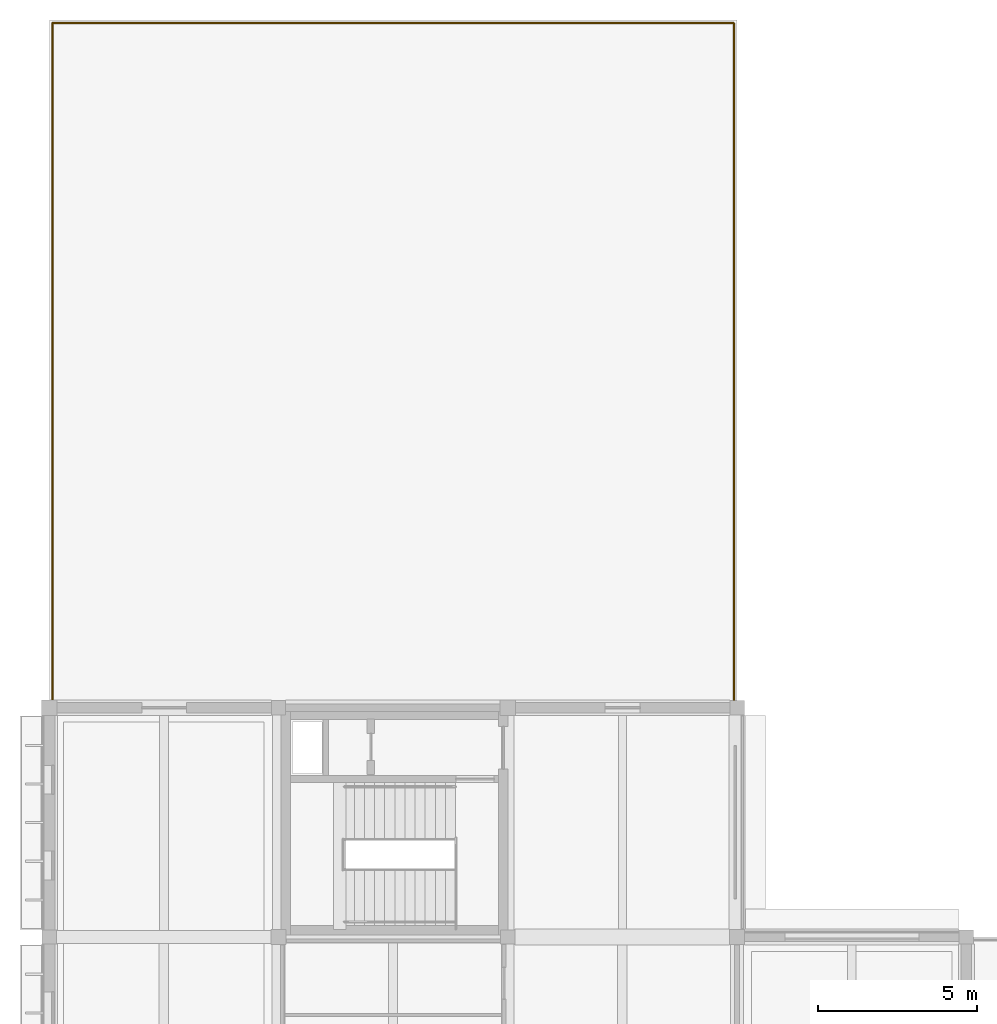
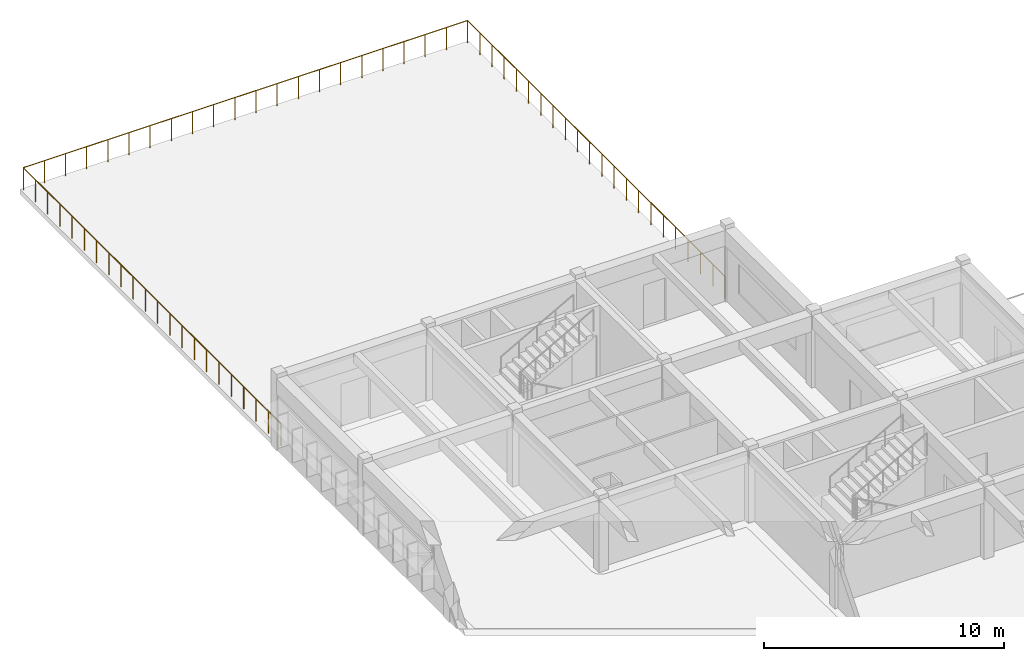
# One storey, part 7 of 7: 9 railings.
"""IFC4 building model written with IfcOpenShell, lengths in metres."""

from ifc_helpers import new_model, si_unit, direction, frame, origin, origin_2d, place, context, subcontext, project, spatial, circle, extrude, material, type_object, element, save


model = new_model("IFC4")

# Units and contexts
model_context = context("Model", 3, precision=1e-05, world=origin(), true_north=direction((0.0, 1.0)))
body_context = subcontext(model_context, "Body", "Model", "MODEL_VIEW")
ifc_project = project(units=[si_unit("LENGTHUNIT", "METRE"), si_unit("AREAUNIT", "SQUARE_METRE"), si_unit("VOLUMEUNIT", "CUBIC_METRE"), si_unit("PLANEANGLEUNIT", "RADIAN"), si_unit("MASSUNIT", "GRAM", prefix="KILO")], contexts=[model_context])

# Site, building, storey
site_placement = place(None, origin())
site = spatial("IfcSite", under=ifc_project, at=site_placement, CompositionType="ELEMENT")
building_placement = place(site_placement, origin())
building = spatial("IfcBuilding", under=site, at=building_placement, Name="Thalmaran Polytechnic", CompositionType="ELEMENT")
storey_placement = place(building_placement, frame((0.0, 0.0, 30.60009765625)))
storey = spatial("IfcBuildingStorey", under=building, at=storey_placement, Name="L07", CompositionType="ELEMENT", Elevation=30.60009765625)

# Railings
ifc_material = material(Name="Stainless steel 316 and laminated glass", Category="steel")
railing_type = type_object("IfcRailingType", Name="RL-BL01", PredefinedType="BALUSTRADE", material=ifc_material)
for number, where, name in (
    (1, (0.10009765625, 50.300048828125, 0.0), "Terrace Balustrade Guard L07-2-1"),
    (2, (7.2333984375, 50.300048828125, 0.0), "Terrace Balustrade Guard L07-2-2"),
    (3, (14.36669921875, 50.300048828125, 0.0), "Terrace Balustrade Guard L07-2-3"),
):
    element("IfcRailing", number, at=place(storey_placement, frame(where)), inside=storey, type_object=railing_type, Name=name, PredefinedType="BALUSTRADE", context=body_context, shape_type="SweptSolid", body=[
        extrude(circle(Radius=0.02392578125, at=origin_2d()), frame((0.0, 0.0, 1.1259765625), z_axis=(1.0, 0.0, 0.0), x_axis=(0.0, 1.0, 0.0)), (0.0, 0.0, 1.0), 7.13330078125),
        extrude(circle(Radius=0.02099609375, at=origin_2d()), origin(), (0.0, 0.0, 1.0), 1.101806640625),
        extrude(circle(Radius=0.02099609375, at=origin_2d()), frame((1.01904296875, 0.0, 0.0)), (0.0, 0.0, 1.0), 1.101806640625),
        extrude(circle(Radius=0.02099609375, at=origin_2d()), frame((2.0380859375, 0.0, 0.0)), (0.0, 0.0, 1.0), 1.101806640625),
        extrude(circle(Radius=0.02099609375, at=origin_2d()), frame((3.05712890625, 0.0, 0.0)), (0.0, 0.0, 1.0), 1.101806640625),
        extrude(circle(Radius=0.02099609375, at=origin_2d()), frame((4.076171875, 0.0, 0.0)), (0.0, 0.0, 1.0), 1.101806640625),
        extrude(circle(Radius=0.02099609375, at=origin_2d()), frame((5.09521484375, 0.0, 0.0)), (0.0, 0.0, 1.0), 1.101806640625),
        extrude(circle(Radius=0.02099609375, at=origin_2d()), frame((6.1142578125, 0.0, 0.0)), (0.0, 0.0, 1.0), 1.101806640625),
        extrude(circle(Radius=0.02099609375, at=origin_2d()), frame((7.13330078125, 0.0, 0.0)), (0.0, 0.0, 1.0), 1.101806640625),
    ])
for number, where, name in (
    (4, (21.5, 50.300048828125, 0.0), "Terrace Balustrade Guard L07-2-4"),
    (5, (21.5, 43.166748046875, 0.0), "Terrace Balustrade Guard L07-2-5"),
):
    element("IfcRailing", number, at=place(storey_placement, frame(where)), inside=storey, type_object=railing_type, Name=name, PredefinedType="BALUSTRADE", context=body_context, shape_type="SweptSolid", body=[
        extrude(circle(Radius=0.02392578125, at=origin_2d()), frame((0.0, 0.0, 1.1259765625), z_axis=(0.0, -1.0, 0.0), x_axis=(1.0, 0.0, 0.0)), (0.0, 0.0, 1.0), 7.13330078125),
        extrude(circle(Radius=0.02099609375, at=origin_2d()), origin(), (0.0, 0.0, 1.0), 1.101806640625),
        extrude(circle(Radius=0.02099609375, at=origin_2d()), frame((0.0, -1.01904296875, 0.0)), (0.0, 0.0, 1.0), 1.101806640625),
        extrude(circle(Radius=0.02099609375, at=origin_2d()), frame((0.0, -2.0380859375, 0.0)), (0.0, 0.0, 1.0), 1.101806640625),
        extrude(circle(Radius=0.02099609375, at=origin_2d()), frame((0.0, -3.05712890625, 0.0)), (0.0, 0.0, 1.0), 1.101806640625),
        extrude(circle(Radius=0.02099609375, at=origin_2d()), frame((0.0, -4.076171875, 0.0)), (0.0, 0.0, 1.0), 1.101806640625),
        extrude(circle(Radius=0.02099609375, at=origin_2d()), frame((0.0, -5.09521484375, 0.0)), (0.0, 0.0, 1.0), 1.101806640625),
        extrude(circle(Radius=0.02099609375, at=origin_2d()), frame((0.0, -6.1142578125, 0.0)), (0.0, 0.0, 1.0), 1.101806640625),
        extrude(circle(Radius=0.02099609375, at=origin_2d()), frame((0.0, -7.13330078125, 0.0)), (0.0, 0.0, 1.0), 1.101806640625),
    ])
railing_1_placement = place(storey_placement, frame((21.5, 36.033447265625, 0.0)))
element("IfcRailing", 6, at=railing_1_placement, inside=storey, type_object=railing_type, Name="Terrace Balustrade Guard L07-2-6", PredefinedType="BALUSTRADE", context=body_context, shape_type="SweptSolid", body=[
    extrude(circle(Radius=0.02392578125, at=origin_2d()), frame((0.0, 0.0, 1.1259765625), z_axis=(0.0, -1.0, 0.0), x_axis=(1.0, 0.0, 0.0)), (0.0, 0.0, 1.0), 7.223388671875),
    extrude(circle(Radius=0.02099609375, at=origin_2d()), origin(), (0.0, 0.0, 1.0), 1.101806640625),
    extrude(circle(Radius=0.02099609375, at=origin_2d()), frame((0.0, -1.031982421875, 0.0)), (0.0, 0.0, 1.0), 1.101806640625),
    extrude(circle(Radius=0.02099609375, at=origin_2d()), frame((0.0, -2.063720703125, 0.0)), (0.0, 0.0, 1.0), 1.101806640625),
    extrude(circle(Radius=0.02099609375, at=origin_2d()), frame((0.0, -3.095703125, 0.0)), (0.0, 0.0, 1.0), 1.101806640625),
    extrude(circle(Radius=0.02099609375, at=origin_2d()), frame((0.0, -4.127685546875, 0.0)), (0.0, 0.0, 1.0), 1.101806640625),
    extrude(circle(Radius=0.02099609375, at=origin_2d()), frame((0.0, -5.15966796875, 0.0)), (0.0, 0.0, 1.0), 1.101806640625),
    extrude(circle(Radius=0.02099609375, at=origin_2d()), frame((0.0, -6.19140625, 0.0)), (0.0, 0.0, 1.0), 1.101806640625),
    extrude(circle(Radius=0.02099609375, at=origin_2d()), frame((0.0, -7.223388671875, 0.0)), (0.0, 0.0, 1.0), 1.101806640625),
])
railing_2_placement = place(storey_placement, frame((0.10009765625, 28.81005859375, 0.0)))
element("IfcRailing", 7, at=railing_2_placement, inside=storey, type_object=railing_type, Name="Terrace Balustrade Guard L07-2-10", PredefinedType="BALUSTRADE", context=body_context, shape_type="SweptSolid", body=[
    extrude(circle(Radius=0.02392578125, at=origin_2d()), frame((0.0, 0.0, 1.1259765625), z_axis=(0.0, 1.0, 0.0), x_axis=(-1.0, 0.0, 0.0)), (0.0, 0.0, 1.0), 7.223388671875),
    extrude(circle(Radius=0.02099609375, at=origin_2d()), origin(), (0.0, 0.0, 1.0), 1.101806640625),
    extrude(circle(Radius=0.02099609375, at=origin_2d()), frame((0.0, 1.031982421875, 0.0)), (0.0, 0.0, 1.0), 1.101806640625),
    extrude(circle(Radius=0.02099609375, at=origin_2d()), frame((0.0, 2.063720703125, 0.0)), (0.0, 0.0, 1.0), 1.101806640625),
    extrude(circle(Radius=0.02099609375, at=origin_2d()), frame((0.0, 3.095703125, 0.0)), (0.0, 0.0, 1.0), 1.101806640625),
    extrude(circle(Radius=0.02099609375, at=origin_2d()), frame((0.0, 4.127685546875, 0.0)), (0.0, 0.0, 1.0), 1.101806640625),
    extrude(circle(Radius=0.02099609375, at=origin_2d()), frame((0.0, 5.15966796875, 0.0)), (0.0, 0.0, 1.0), 1.101806640625),
    extrude(circle(Radius=0.02099609375, at=origin_2d()), frame((0.0, 6.19140625, 0.0)), (0.0, 0.0, 1.0), 1.101806640625),
    extrude(circle(Radius=0.02099609375, at=origin_2d()), frame((0.0, 7.223388671875, 0.0)), (0.0, 0.0, 1.0), 1.101806640625),
])
for number, where, name in (
    (8, (0.10009765625, 36.033447265625, 0.0), "Terrace Balustrade Guard L07-2-11"),
    (9, (0.10009765625, 43.166748046875, 0.0), "Terrace Balustrade Guard L07-2-12"),
):
    element("IfcRailing", number, at=place(storey_placement, frame(where)), inside=storey, type_object=railing_type, Name=name, PredefinedType="BALUSTRADE", context=body_context, shape_type="SweptSolid", body=[
        extrude(circle(Radius=0.02392578125, at=origin_2d()), frame((0.0, 0.0, 1.1259765625), z_axis=(0.0, 1.0, 0.0), x_axis=(-1.0, 0.0, 0.0)), (0.0, 0.0, 1.0), 7.13330078125),
        extrude(circle(Radius=0.02099609375, at=origin_2d()), origin(), (0.0, 0.0, 1.0), 1.101806640625),
        extrude(circle(Radius=0.02099609375, at=origin_2d()), frame((0.0, 1.01904296875, 0.0)), (0.0, 0.0, 1.0), 1.101806640625),
        extrude(circle(Radius=0.02099609375, at=origin_2d()), frame((0.0, 2.0380859375, 0.0)), (0.0, 0.0, 1.0), 1.101806640625),
        extrude(circle(Radius=0.02099609375, at=origin_2d()), frame((0.0, 3.05712890625, 0.0)), (0.0, 0.0, 1.0), 1.101806640625),
        extrude(circle(Radius=0.02099609375, at=origin_2d()), frame((0.0, 4.076171875, 0.0)), (0.0, 0.0, 1.0), 1.101806640625),
        extrude(circle(Radius=0.02099609375, at=origin_2d()), frame((0.0, 5.09521484375, 0.0)), (0.0, 0.0, 1.0), 1.101806640625),
        extrude(circle(Radius=0.02099609375, at=origin_2d()), frame((0.0, 6.1142578125, 0.0)), (0.0, 0.0, 1.0), 1.101806640625),
        extrude(circle(Radius=0.02099609375, at=origin_2d()), frame((0.0, 7.13330078125, 0.0)), (0.0, 0.0, 1.0), 1.101806640625),
    ])

save(model, "model.ifc")
